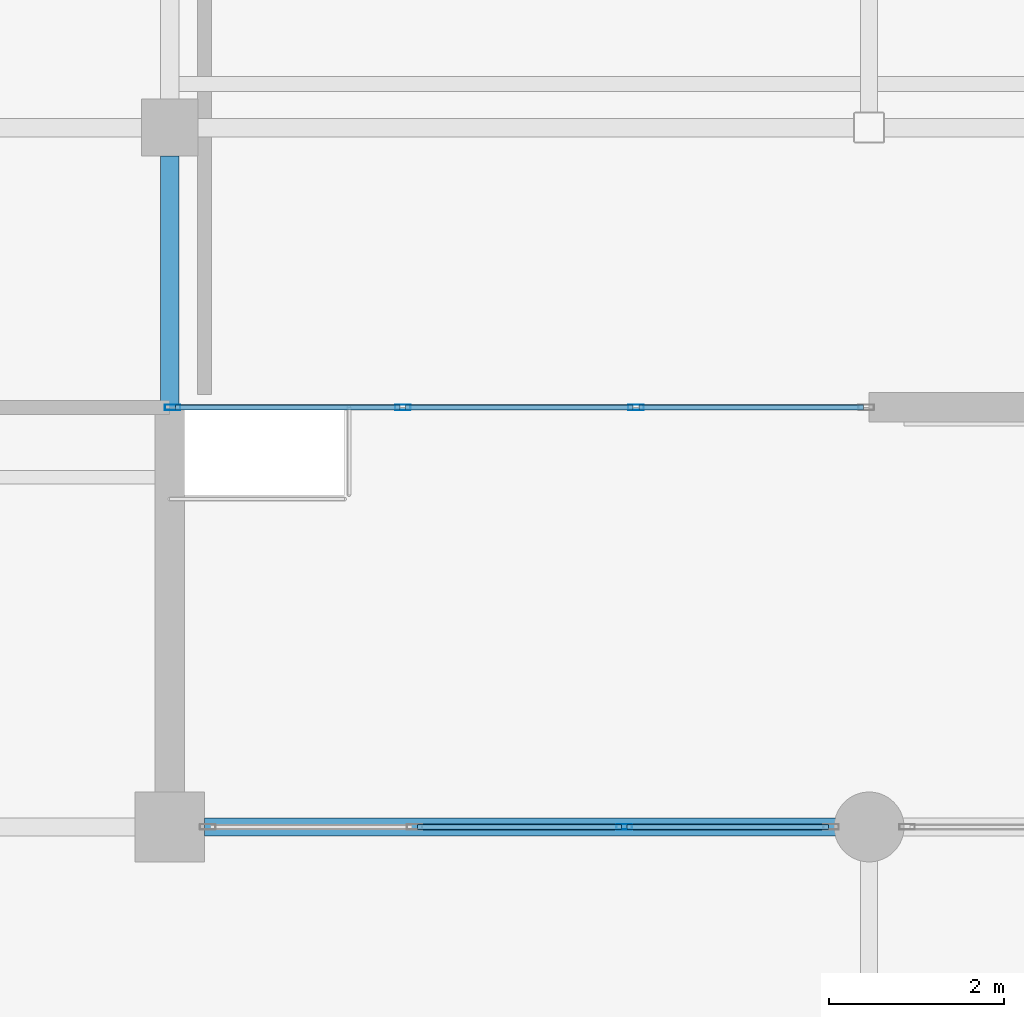
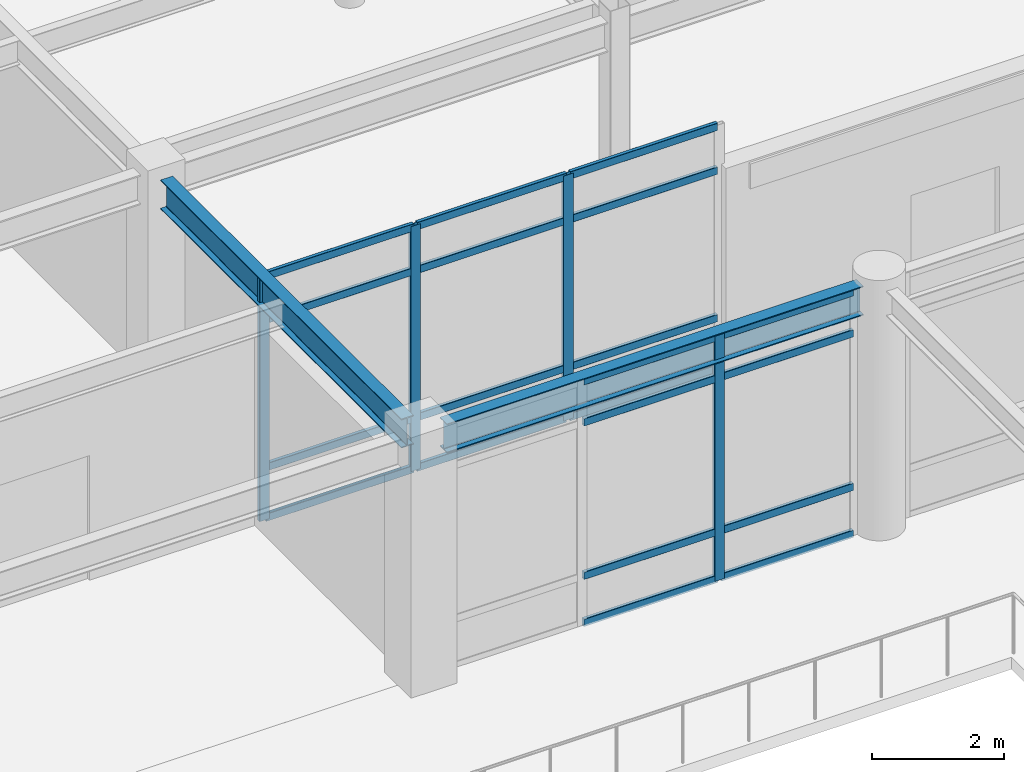
# One storey, part 54 of 117: 24 members, 2 beams, 2 elements without a shape of their own.
"""IFC4 building model written with IfcOpenShell, lengths in metres."""

from ifc_helpers import new_model, si_unit, direction, frame, origin, origin_2d, place, context, subcontext, project, spatial, hollow_rectangle, i_section, extrude, material, material_profile, profile_set, type_object, element, aggregate, save


model = new_model("IFC4")

# Units and contexts
model_context = context("Model", 3, precision=1e-05, world=origin(), true_north=direction((0.0, 1.0)))
body_context = subcontext(model_context, "Body", "Model", "MODEL_VIEW")
ifc_project = project(units=[si_unit("LENGTHUNIT", "METRE"), si_unit("AREAUNIT", "SQUARE_METRE"), si_unit("VOLUMEUNIT", "CUBIC_METRE"), si_unit("PLANEANGLEUNIT", "RADIAN"), si_unit("MASSUNIT", "GRAM", prefix="KILO")], contexts=[model_context])

# Site, building, storey
site_placement = place(None, origin())
site = spatial("IfcSite", under=ifc_project, at=site_placement, CompositionType="ELEMENT")
building_placement = place(site_placement, origin())
building = spatial("IfcBuilding", under=site, at=building_placement, Name="Solmirada Galleria", CompositionType="ELEMENT")
storey_placement = place(building_placement, frame((0.0, 0.0, 5.60009765625)))
storey = spatial("IfcBuildingStorey", under=building, at=storey_placement, Name="L01", CompositionType="ELEMENT", Elevation=5.60009765625)

# Beams
ifc_material_1 = material(Name="Steel S355 / ASTM A992 Grade 50", Category="steel")
ifc_material_profile_1 = material_profile(ifc_material_1, i_section(OverallWidth=0.2099609375, OverallDepth=0.537109375, WebThickness=0.010986328125, FlangeThickness=0.017333984375, FilletRadius=0.014892578125, at=origin_2d()), Name="W21X68")
ifc_profile_set_1 = profile_set([ifc_material_profile_1], Name="Steel S355 / ASTM A992 Grade 50")
beam_type = type_object("IfcBeamType", Name="BM-GIRD-W21B", PredefinedType="BEAM", material=ifc_profile_set_1)
beam_1_placement = place(storey_placement, frame((96.39990234375, 72.0, 4.331298828125), z_axis=(1.0, 0.0, 0.0), x_axis=(0.0, 1.0, 0.0)))
element("IfcBeam", 1, at=beam_1_placement, inside=storey, type_object=beam_type, Name="Primary beam L02 X(96..104, 72)", PredefinedType="BEAM", context=body_context, shape_type="SweptSolid", body=[
    extrude(i_section(OverallWidth=0.2099609375, OverallDepth=0.537109375, WebThickness=0.010986328125, FlangeThickness=0.017333984375, FilletRadius=0.014892578125, at=origin_2d()), origin(), (0.0, 0.0, 1.0), 7.26416015625),
])
beam_2_placement = place(storey_placement, frame((96.0, 72.39990234375, 4.29150390625), z_axis=(0.0, 1.0, 0.0), x_axis=(-1.0, 0.0, 0.0)))
element("IfcBeam", 2, at=beam_2_placement, inside=storey, type_object=beam_type, Name="Primary girder L02 Y(96, 72..80)", PredefinedType="BEAM", context=body_context, shape_type="SweptSolid", body=[
    extrude(i_section(OverallWidth=0.2099609375, OverallDepth=0.537109375, WebThickness=0.010986328125, FlangeThickness=0.017333984375, FilletRadius=0.014892578125, at=origin_2d()), origin(), (0.0, 0.0, 1.0), 7.275146484375),
])

# Curtain wall, members
ifc_material_2 = material(Name="Impact-resistant low-E double glazing", Category="glass")
curtain_wall_type_1 = type_object("IfcCurtainWallType", Name="CW-FZ4-L01-B3-L080", PredefinedType="NOTDEFINED", material=ifc_material_2)
curtain_wall_1_placement = place(storey_placement, origin())
curtain_wall_1 = element("IfcCurtainWall", 3, at=curtain_wall_1_placement, inside=storey, type_object=curtain_wall_type_1, Name="Terrace and arcade storefront CW-L01-065", PredefinedType="NOTDEFINED")
ifc_material_3 = material(Name="Anodised aluminium framing", Category="aluminium")
ifc_material_profile_2 = material_profile(ifc_material_3, hollow_rectangle(XDim=0.06494140625, YDim=0.179931640625, WallThickness=0.00390625, InnerFilletRadius=0.00390625, OuterFilletRadius=0.008056640625, at=origin_2d()), Name="ALU-MULL-180X65")
ifc_profile_set_2 = profile_set([ifc_material_profile_2], Name="Anodised aluminium framing")
member_type_1 = type_object("IfcMemberType", Name="CW-MULL-180", PredefinedType="MULLION", material=ifc_profile_set_2)
member_1_placement = place(storey_placement, frame((101.333251953125, 76.800048828125, 0.0), z_axis=(0.0, 0.0, 1.0), x_axis=(0.0, -1.0, 0.0)))
member_1 = element("IfcMember", 4, at=member_1_placement, type_object=member_type_1, Name="CW13 mullion 2", PredefinedType="MULLION", context=body_context, shape_type="SweptSolid", body=[
    extrude(hollow_rectangle(XDim=0.06494140625, YDim=0.179931640625, WallThickness=0.00390625, InnerFilletRadius=0.00390625, OuterFilletRadius=0.008056640625, at=origin_2d()), origin(), (0.0, 0.0, 1.0), 4.52001953125),
])
member_2_placement = place(storey_placement, frame((98.666748046875, 76.800048828125, 0.0), z_axis=(0.0, 0.0, 1.0), x_axis=(0.0, -1.0, 0.0)))
member_2 = element("IfcMember", 5, at=member_2_placement, type_object=member_type_1, Name="CW13 mullion 3", PredefinedType="MULLION", context=body_context, shape_type="SweptSolid", body=[
    extrude(hollow_rectangle(XDim=0.06494140625, YDim=0.179931640625, WallThickness=0.00390625, InnerFilletRadius=0.00390625, OuterFilletRadius=0.008056640625, at=origin_2d()), origin(), (0.0, 0.0, 1.0), 4.52001953125),
])
member_3_placement = place(storey_placement, frame((96.032470703125, 76.800048828125, 0.0), z_axis=(0.0, 0.0, 1.0), x_axis=(0.0, -1.0, 0.0)))
member_3 = element("IfcMember", 6, at=member_3_placement, type_object=member_type_1, Name="CW13 mullion 4", PredefinedType="MULLION", context=body_context, shape_type="SweptSolid", body=[
    extrude(hollow_rectangle(XDim=0.06494140625, YDim=0.179931640625, WallThickness=0.00390625, InnerFilletRadius=0.00390625, OuterFilletRadius=0.008056640625, at=origin_2d()), origin(), (0.0, 0.0, 1.0), 4.52001953125),
])

# Curtain wall, member
curtain_wall_type_2 = type_object("IfcCurtainWallType", Name="CW-FZ3-L01-B3-L072", PredefinedType="NOTDEFINED", material=ifc_material_2)
curtain_wall_2_placement = place(storey_placement, origin())
curtain_wall_2 = element("IfcCurtainWall", 7, at=curtain_wall_2_placement, inside=storey, type_object=curtain_wall_type_2, Name="Terrace and arcade storefront CW-L01-066", PredefinedType="NOTDEFINED")
member_4_placement = place(storey_placement, frame((101.19921875, 72.0, 0.0), z_axis=(0.0, 0.0, 1.0), x_axis=(0.0, 1.0, 0.0)))
member_4 = element("IfcMember", 8, at=member_4_placement, type_object=member_type_1, Name="CW12 mullion 3", PredefinedType="MULLION", context=body_context, shape_type="SweptSolid", body=[
    extrude(hollow_rectangle(XDim=0.06494140625, YDim=0.179931640625, WallThickness=0.00390625, InnerFilletRadius=0.00390625, OuterFilletRadius=0.008056640625, at=origin_2d()), origin(), (0.0, 0.0, 1.0), 4.52001953125),
])

# Member
ifc_material_profile_3 = material_profile(ifc_material_3, hollow_rectangle(XDim=0.06494140625, YDim=0.139892578125, WallThickness=0.00341796875, InnerFilletRadius=0.00341796875, OuterFilletRadius=0.007080078125, at=origin_2d()), Name="ALU-TRAN-140X65")
ifc_profile_set_3 = profile_set([ifc_material_profile_3], Name="Anodised aluminium framing")
member_type_2 = type_object("IfcMemberType", Name="CW-TRAN-140", PredefinedType="USERDEFINED", material=ifc_profile_set_3)
member_5_placement = place(storey_placement, frame((103.93505859375, 76.800048828125, 0.032470703125), z_axis=(-1.0, 0.0, 0.0), x_axis=(0.0, -1.0, 0.0)))
member_5 = element("IfcMember", 9, at=member_5_placement, type_object=member_type_2, Name="CW13 transom 1.1", ObjectType="TRANSOM", PredefinedType="USERDEFINED", context=body_context, shape_type="SweptSolid", body=[
    extrude(hollow_rectangle(XDim=0.06494140625, YDim=0.139892578125, WallThickness=0.00341796875, InnerFilletRadius=0.00341796875, OuterFilletRadius=0.007080078125, at=origin_2d()), origin(), (0.0, 0.0, 1.0), 2.5693359375),
])

member_6_placement = place(storey_placement, frame((103.93505859375, 76.800048828125, 0.9599609375), z_axis=(-1.0, 0.0, 0.0), x_axis=(0.0, -1.0, 0.0)))
member_6 = element("IfcMember", 10, at=member_6_placement, type_object=member_type_2, Name="CW13 transom 1.2", ObjectType="TRANSOM", PredefinedType="USERDEFINED", context=body_context, shape_type="SweptSolid", body=[
    extrude(hollow_rectangle(XDim=0.06494140625, YDim=0.139892578125, WallThickness=0.00341796875, InnerFilletRadius=0.00341796875, OuterFilletRadius=0.007080078125, at=origin_2d()), origin(), (0.0, 0.0, 1.0), 2.5693359375),
])

member_7_placement = place(storey_placement, frame((103.93505859375, 76.800048828125, 3.679931640625), z_axis=(-1.0, 0.0, 0.0), x_axis=(0.0, -1.0, 0.0)))
member_7 = element("IfcMember", 11, at=member_7_placement, type_object=member_type_2, Name="CW13 transom 1.3", ObjectType="TRANSOM", PredefinedType="USERDEFINED", context=body_context, shape_type="SweptSolid", body=[
    extrude(hollow_rectangle(XDim=0.06494140625, YDim=0.139892578125, WallThickness=0.00341796875, InnerFilletRadius=0.00341796875, OuterFilletRadius=0.007080078125, at=origin_2d()), origin(), (0.0, 0.0, 1.0), 2.5693359375),
])

member_8_placement = place(storey_placement, frame((103.93505859375, 76.800048828125, 4.4873046875), z_axis=(-1.0, 0.0, 0.0), x_axis=(0.0, -1.0, 0.0)))
member_8 = element("IfcMember", 12, at=member_8_placement, type_object=member_type_2, Name="CW13 transom 1.4", ObjectType="TRANSOM", PredefinedType="USERDEFINED", context=body_context, shape_type="SweptSolid", body=[
    extrude(hollow_rectangle(XDim=0.06494140625, YDim=0.139892578125, WallThickness=0.00341796875, InnerFilletRadius=0.00341796875, OuterFilletRadius=0.007080078125, at=origin_2d()), origin(), (0.0, 0.0, 1.0), 2.5693359375),
])

member_9_placement = place(storey_placement, frame((101.30078125, 76.800048828125, 0.032470703125), z_axis=(-1.0, 0.0, 0.0), x_axis=(0.0, -1.0, 0.0)))
member_9 = element("IfcMember", 13, at=member_9_placement, type_object=member_type_2, Name="CW13 transom 2.1", ObjectType="TRANSOM", PredefinedType="USERDEFINED", context=body_context, shape_type="SweptSolid", body=[
    extrude(hollow_rectangle(XDim=0.06494140625, YDim=0.139892578125, WallThickness=0.00341796875, InnerFilletRadius=0.00341796875, OuterFilletRadius=0.007080078125, at=origin_2d()), origin(), (0.0, 0.0, 1.0), 2.6015625),
])

member_10_placement = place(storey_placement, frame((101.30078125, 76.800048828125, 0.9599609375), z_axis=(-1.0, 0.0, 0.0), x_axis=(0.0, -1.0, 0.0)))
member_10 = element("IfcMember", 14, at=member_10_placement, type_object=member_type_2, Name="CW13 transom 2.2", ObjectType="TRANSOM", PredefinedType="USERDEFINED", context=body_context, shape_type="SweptSolid", body=[
    extrude(hollow_rectangle(XDim=0.06494140625, YDim=0.139892578125, WallThickness=0.00341796875, InnerFilletRadius=0.00341796875, OuterFilletRadius=0.007080078125, at=origin_2d()), origin(), (0.0, 0.0, 1.0), 2.6015625),
])

member_11_placement = place(storey_placement, frame((101.30078125, 76.800048828125, 3.679931640625), z_axis=(-1.0, 0.0, 0.0), x_axis=(0.0, -1.0, 0.0)))
member_11 = element("IfcMember", 15, at=member_11_placement, type_object=member_type_2, Name="CW13 transom 2.3", ObjectType="TRANSOM", PredefinedType="USERDEFINED", context=body_context, shape_type="SweptSolid", body=[
    extrude(hollow_rectangle(XDim=0.06494140625, YDim=0.139892578125, WallThickness=0.00341796875, InnerFilletRadius=0.00341796875, OuterFilletRadius=0.007080078125, at=origin_2d()), origin(), (0.0, 0.0, 1.0), 2.6015625),
])

member_12_placement = place(storey_placement, frame((101.30078125, 76.800048828125, 4.4873046875), z_axis=(-1.0, 0.0, 0.0), x_axis=(0.0, -1.0, 0.0)))
member_12 = element("IfcMember", 16, at=member_12_placement, type_object=member_type_2, Name="CW13 transom 2.4", ObjectType="TRANSOM", PredefinedType="USERDEFINED", context=body_context, shape_type="SweptSolid", body=[
    extrude(hollow_rectangle(XDim=0.06494140625, YDim=0.139892578125, WallThickness=0.00341796875, InnerFilletRadius=0.00341796875, OuterFilletRadius=0.007080078125, at=origin_2d()), origin(), (0.0, 0.0, 1.0), 2.6015625),
])

member_13_placement = place(storey_placement, frame((98.63427734375, 76.800048828125, 0.032470703125), z_axis=(-1.0, 0.0, 0.0), x_axis=(0.0, -1.0, 0.0)))
member_13 = element("IfcMember", 17, at=member_13_placement, type_object=member_type_2, Name="CW13 transom 3.1", ObjectType="TRANSOM", PredefinedType="USERDEFINED", context=body_context, shape_type="SweptSolid", body=[
    extrude(hollow_rectangle(XDim=0.06494140625, YDim=0.139892578125, WallThickness=0.00341796875, InnerFilletRadius=0.00341796875, OuterFilletRadius=0.007080078125, at=origin_2d()), origin(), (0.0, 0.0, 1.0), 2.5693359375),
])

member_14_placement = place(storey_placement, frame((98.63427734375, 76.800048828125, 0.9599609375), z_axis=(-1.0, 0.0, 0.0), x_axis=(0.0, -1.0, 0.0)))
member_14 = element("IfcMember", 18, at=member_14_placement, type_object=member_type_2, Name="CW13 transom 3.2", ObjectType="TRANSOM", PredefinedType="USERDEFINED", context=body_context, shape_type="SweptSolid", body=[
    extrude(hollow_rectangle(XDim=0.06494140625, YDim=0.139892578125, WallThickness=0.00341796875, InnerFilletRadius=0.00341796875, OuterFilletRadius=0.007080078125, at=origin_2d()), origin(), (0.0, 0.0, 1.0), 2.5693359375),
])

member_15_placement = place(storey_placement, frame((98.63427734375, 76.800048828125, 3.679931640625), z_axis=(-1.0, 0.0, 0.0), x_axis=(0.0, -1.0, 0.0)))
member_15 = element("IfcMember", 19, at=member_15_placement, type_object=member_type_2, Name="CW13 transom 3.3", ObjectType="TRANSOM", PredefinedType="USERDEFINED", context=body_context, shape_type="SweptSolid", body=[
    extrude(hollow_rectangle(XDim=0.06494140625, YDim=0.139892578125, WallThickness=0.00341796875, InnerFilletRadius=0.00341796875, OuterFilletRadius=0.007080078125, at=origin_2d()), origin(), (0.0, 0.0, 1.0), 2.5693359375),
])

member_16_placement = place(storey_placement, frame((98.63427734375, 76.800048828125, 4.4873046875), z_axis=(-1.0, 0.0, 0.0), x_axis=(0.0, -1.0, 0.0)))
member_16 = element("IfcMember", 20, at=member_16_placement, type_object=member_type_2, Name="CW13 transom 3.4", ObjectType="TRANSOM", PredefinedType="USERDEFINED", context=body_context, shape_type="SweptSolid", body=[
    extrude(hollow_rectangle(XDim=0.06494140625, YDim=0.139892578125, WallThickness=0.00341796875, InnerFilletRadius=0.00341796875, OuterFilletRadius=0.007080078125, at=origin_2d()), origin(), (0.0, 0.0, 1.0), 2.5693359375),
])

aggregate(curtain_wall_1, [member_1, member_2, member_3, member_5, member_6, member_7, member_8, member_9, member_10, member_11, member_12, member_13, member_14, member_15, member_16])

member_17_placement = place(storey_placement, frame((98.833251953125, 72.0, 0.032470703125), z_axis=(1.0, 0.0, 0.0), x_axis=(0.0, 1.0, 0.0)))
member_17 = element("IfcMember", 21, at=member_17_placement, type_object=member_type_2, Name="CW12 transom 2.1", ObjectType="TRANSOM", PredefinedType="USERDEFINED", context=body_context, shape_type="SweptSolid", body=[
    extrude(hollow_rectangle(XDim=0.06494140625, YDim=0.139892578125, WallThickness=0.00341796875, InnerFilletRadius=0.00341796875, OuterFilletRadius=0.007080078125, at=origin_2d()), origin(), (0.0, 0.0, 1.0), 2.33349609375),
])

member_18_placement = place(storey_placement, frame((98.833251953125, 72.0, 0.89990234375), z_axis=(1.0, 0.0, 0.0), x_axis=(0.0, 1.0, 0.0)))
member_18 = element("IfcMember", 22, at=member_18_placement, type_object=member_type_2, Name="CW12 transom 2.2", ObjectType="TRANSOM", PredefinedType="USERDEFINED", context=body_context, shape_type="SweptSolid", body=[
    extrude(hollow_rectangle(XDim=0.06494140625, YDim=0.139892578125, WallThickness=0.00341796875, InnerFilletRadius=0.00341796875, OuterFilletRadius=0.007080078125, at=origin_2d()), origin(), (0.0, 0.0, 1.0), 2.33349609375),
])

member_19_placement = place(storey_placement, frame((98.833251953125, 72.0, 3.72998046875), z_axis=(1.0, 0.0, 0.0), x_axis=(0.0, 1.0, 0.0)))
member_19 = element("IfcMember", 23, at=member_19_placement, type_object=member_type_2, Name="CW12 transom 2.3", ObjectType="TRANSOM", PredefinedType="USERDEFINED", context=body_context, shape_type="SweptSolid", body=[
    extrude(hollow_rectangle(XDim=0.06494140625, YDim=0.139892578125, WallThickness=0.00341796875, InnerFilletRadius=0.00341796875, OuterFilletRadius=0.007080078125, at=origin_2d()), origin(), (0.0, 0.0, 1.0), 2.33349609375),
])

member_20_placement = place(storey_placement, frame((98.833251953125, 72.0, 4.4873046875), z_axis=(1.0, 0.0, 0.0), x_axis=(0.0, 1.0, 0.0)))
member_20 = element("IfcMember", 24, at=member_20_placement, type_object=member_type_2, Name="CW12 transom 2.4", ObjectType="TRANSOM", PredefinedType="USERDEFINED", context=body_context, shape_type="SweptSolid", body=[
    extrude(hollow_rectangle(XDim=0.06494140625, YDim=0.139892578125, WallThickness=0.00341796875, InnerFilletRadius=0.00341796875, OuterFilletRadius=0.007080078125, at=origin_2d()), origin(), (0.0, 0.0, 1.0), 2.33349609375),
])

member_21_placement = place(storey_placement, frame((101.23193359375, 72.0, 0.032470703125), z_axis=(1.0, 0.0, 0.0), x_axis=(0.0, 1.0, 0.0)))
member_21 = element("IfcMember", 25, at=member_21_placement, type_object=member_type_2, Name="CW12 transom 3.1", ObjectType="TRANSOM", PredefinedType="USERDEFINED", context=body_context, shape_type="SweptSolid", body=[
    extrude(hollow_rectangle(XDim=0.06494140625, YDim=0.139892578125, WallThickness=0.00341796875, InnerFilletRadius=0.00341796875, OuterFilletRadius=0.007080078125, at=origin_2d()), origin(), (0.0, 0.0, 1.0), 2.301025390625),
])

member_22_placement = place(storey_placement, frame((101.23193359375, 72.0, 0.89990234375), z_axis=(1.0, 0.0, 0.0), x_axis=(0.0, 1.0, 0.0)))
member_22 = element("IfcMember", 26, at=member_22_placement, type_object=member_type_2, Name="CW12 transom 3.2", ObjectType="TRANSOM", PredefinedType="USERDEFINED", context=body_context, shape_type="SweptSolid", body=[
    extrude(hollow_rectangle(XDim=0.06494140625, YDim=0.139892578125, WallThickness=0.00341796875, InnerFilletRadius=0.00341796875, OuterFilletRadius=0.007080078125, at=origin_2d()), origin(), (0.0, 0.0, 1.0), 2.301025390625),
])

member_23_placement = place(storey_placement, frame((101.23193359375, 72.0, 3.72998046875), z_axis=(1.0, 0.0, 0.0), x_axis=(0.0, 1.0, 0.0)))
member_23 = element("IfcMember", 27, at=member_23_placement, type_object=member_type_2, Name="CW12 transom 3.3", ObjectType="TRANSOM", PredefinedType="USERDEFINED", context=body_context, shape_type="SweptSolid", body=[
    extrude(hollow_rectangle(XDim=0.06494140625, YDim=0.139892578125, WallThickness=0.00341796875, InnerFilletRadius=0.00341796875, OuterFilletRadius=0.007080078125, at=origin_2d()), origin(), (0.0, 0.0, 1.0), 2.301025390625),
])

member_24_placement = place(storey_placement, frame((101.23193359375, 72.0, 4.4873046875), z_axis=(1.0, 0.0, 0.0), x_axis=(0.0, 1.0, 0.0)))
member_24 = element("IfcMember", 28, at=member_24_placement, type_object=member_type_2, Name="CW12 transom 3.4", ObjectType="TRANSOM", PredefinedType="USERDEFINED", context=body_context, shape_type="SweptSolid", body=[
    extrude(hollow_rectangle(XDim=0.06494140625, YDim=0.139892578125, WallThickness=0.00341796875, InnerFilletRadius=0.00341796875, OuterFilletRadius=0.007080078125, at=origin_2d()), origin(), (0.0, 0.0, 1.0), 2.301025390625),
])

aggregate(curtain_wall_2, [member_4, member_17, member_18, member_19, member_20, member_21, member_22, member_23, member_24])

save(model, "model.ifc")
